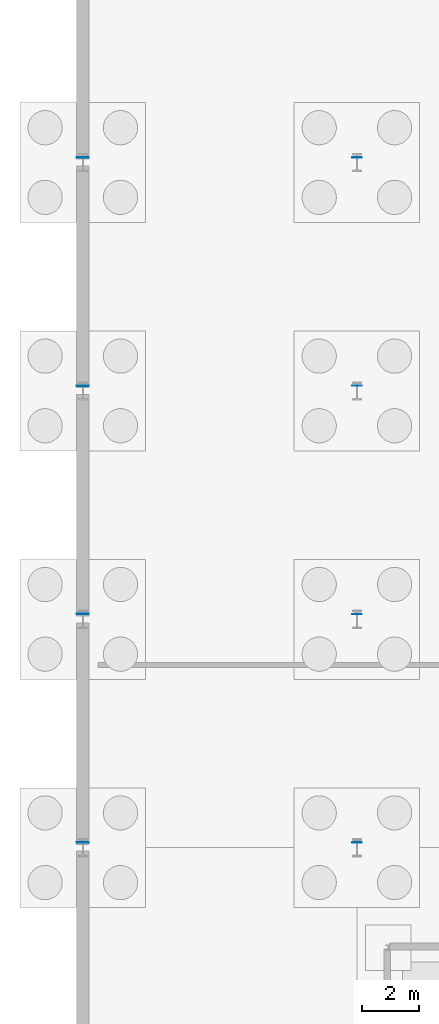
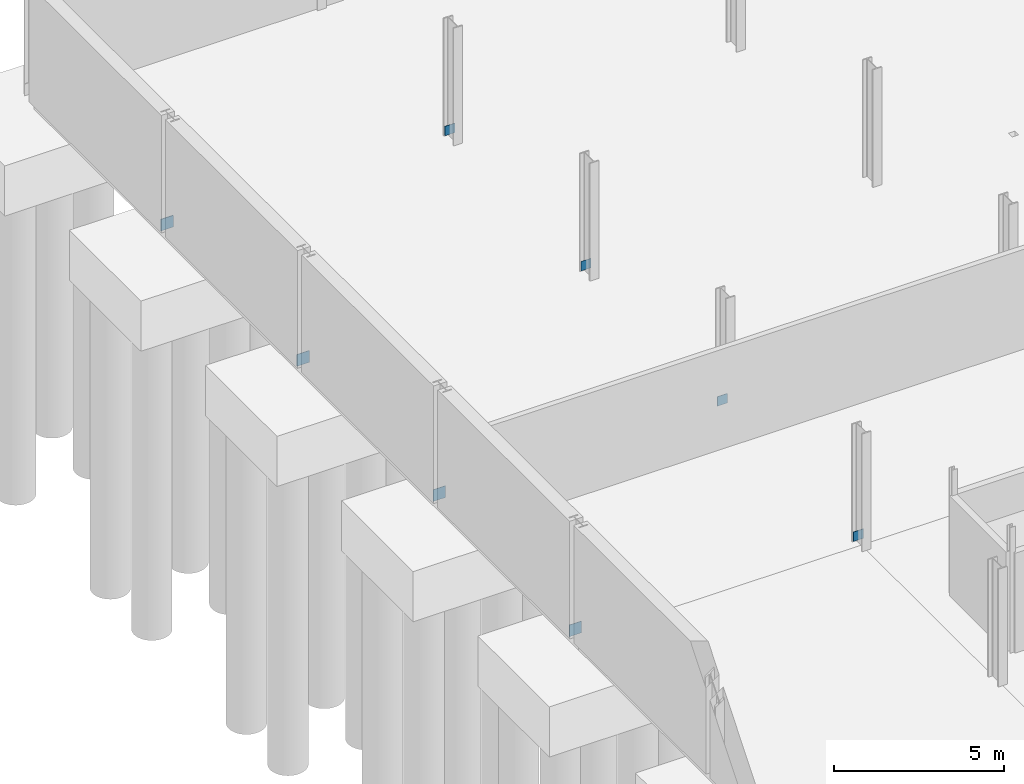
# One storey, part 34 of 47: 8 plates.
"""IFC4 building model written with IfcOpenShell, lengths in metres."""

from ifc_helpers import new_model, si_unit, direction, frame, origin, origin_2d, place, context, subcontext, project, spatial, rectangle, extrude, material, layer, layer_set, type_object, element, save


model = new_model("IFC4")

# Units and contexts
model_context = context("Model", 3, precision=1e-05, world=origin(), true_north=direction((0.0, 1.0)))
body_context = subcontext(model_context, "Body", "Model", "MODEL_VIEW")
ifc_project = project(units=[si_unit("LENGTHUNIT", "METRE"), si_unit("AREAUNIT", "SQUARE_METRE"), si_unit("VOLUMEUNIT", "CUBIC_METRE"), si_unit("PLANEANGLEUNIT", "RADIAN"), si_unit("MASSUNIT", "GRAM", prefix="KILO")], contexts=[model_context])

# Site, building, storey
site_placement = place(None, origin())
site = spatial("IfcSite", under=ifc_project, at=site_placement, CompositionType="ELEMENT")
building_placement = place(site_placement, origin())
building = spatial("IfcBuilding", under=site, at=building_placement, Name="Alderhovde Museum", CompositionType="ELEMENT")
storey_placement = place(building_placement, frame((0.0, 0.0, -4.5)))
storey = spatial("IfcBuildingStorey", under=building, at=storey_placement, Name="B1", CompositionType="ELEMENT", Elevation=-4.5)

# Plates
ifc_material_1 = material(Name="Steel S355J2", Category="steel")
ifc_layer_1 = layer(ifc_material_1, 0.013916015625)
ifc_layer_set_1 = layer_set([ifc_layer_1], Name="Steel S355J2")
plate_type_1 = type_object("IfcPlateType", Name="PLT-STIFF-14", PredefinedType="SHEET", material=ifc_layer_set_1)
for number, where, z_axis, x_axis, name in (
    (1, (19.199951171875, 80.179931640625, 0.080078125), (0.0, 0.0, 1.0), (1.0, 0.0, 0.0), "Column Base Stiffener Plate 6"),
    (2, (19.199951171875, 88.179931640625, 0.080078125), (0.0, 0.0, 1.0), (1.0, 0.0, 0.0), "Column Base Stiffener Plate 7"),
    (3, (19.199951171875, 96.179931640625, 0.080078125), (0.0, 0.0, 1.0), (1.0, 0.0, 0.0), "Column Base Stiffener Plate 8"),
    (4, (19.199951171875, 104.179931640625, 0.080078125), (0.0, 0.0, 1.0), (1.0, 0.0, 0.0), "Column Base Stiffener Plate 9"),
):
    element("IfcPlate", number, at=place(storey_placement, frame(where, z_axis=z_axis, x_axis=x_axis)), inside=storey, type_object=plate_type_1, Name=name, PredefinedType="SHEET", context=body_context, shape_type="SweptSolid", body=[
        extrude(rectangle(XDim=0.340087890625, YDim=0.013916015625, at=origin_2d()), origin(), (0.0, 0.0, 1.0), 0.340087890625),
    ])
ifc_material_2 = material(Name="Steel S355J2", Category="steel")
ifc_layer_2 = layer(ifc_material_2, 0.01806640625)
ifc_layer_set_2 = layer_set([ifc_layer_2], Name="Steel S355J2")
plate_type_2 = type_object("IfcPlateType", Name="PLT-STIFF-18", PredefinedType="SHEET", material=ifc_layer_set_2)
for number, where, z_axis, x_axis, name in (
    (5, (9.60009765625, 80.179931640625, 0.0400390625), (0.0, 0.0, 1.0), (1.0, 0.0, 0.0), "Column Base Stiffener Plate 1"),
    (6, (9.60009765625, 88.179931640625, 0.0400390625), (0.0, 0.0, 1.0), (1.0, 0.0, 0.0), "Column Base Stiffener Plate 2"),
    (7, (9.60009765625, 96.179931640625, 0.0400390625), (0.0, 0.0, 1.0), (1.0, 0.0, 0.0), "Column Base Stiffener Plate 3"),
    (8, (9.60009765625, 104.179931640625, 0.0400390625), (0.0, 0.0, 1.0), (1.0, 0.0, 0.0), "Column Base Stiffener Plate 4"),
):
    element("IfcPlate", number, at=place(storey_placement, frame(where, z_axis=z_axis, x_axis=x_axis)), inside=storey, type_object=plate_type_2, Name=name, PredefinedType="SHEET", context=body_context, shape_type="SweptSolid", body=[
        extrude(rectangle(XDim=0.419921875, YDim=0.01806640625, at=origin_2d()), origin(), (0.0, 0.0, 1.0), 0.419921875),
    ])

save(model, "model.ifc")
